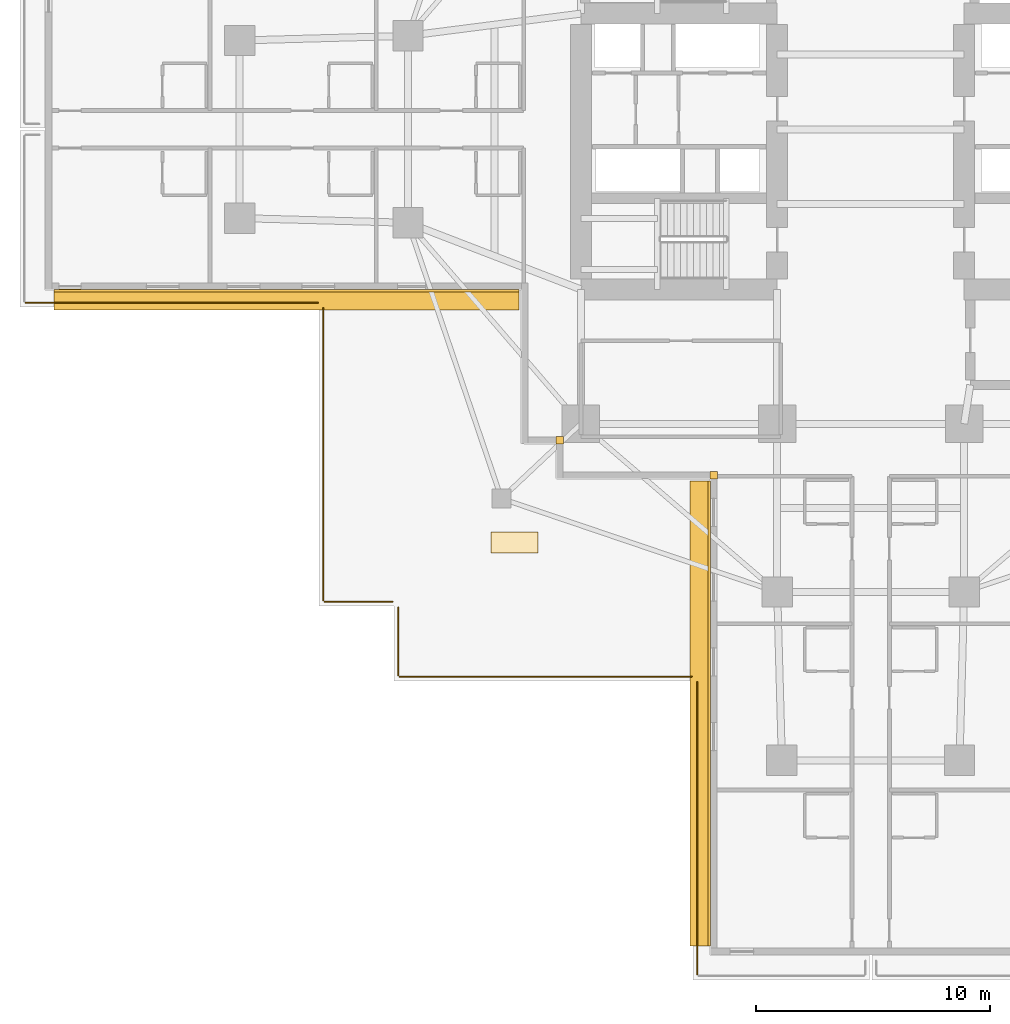
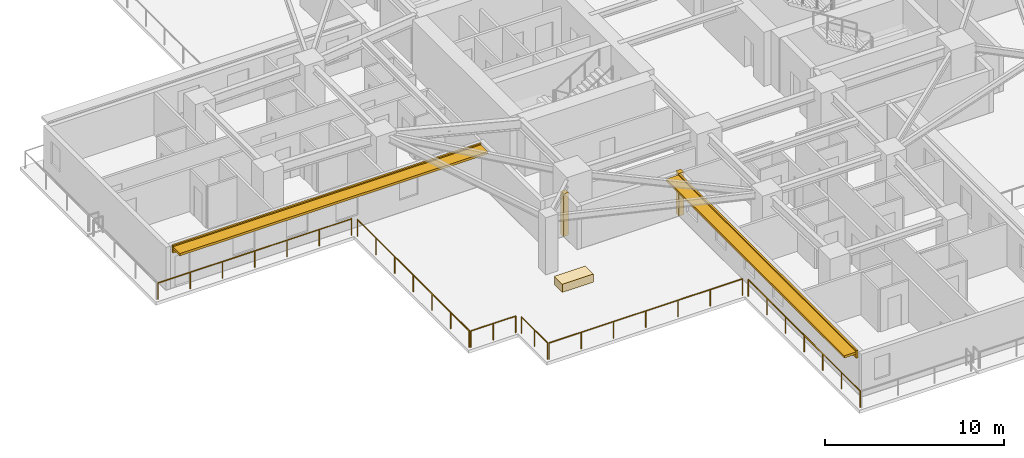
# One storey, part 10 of 15: 6 railings, 5 coverings, 2 shading devices.
"""IFC4 building model written with IfcOpenShell, lengths in metres."""

from ifc_helpers import new_model, si_unit, direction, frame, origin, origin_2d, place, context, subcontext, project, spatial, rectangle, circle, extrude, material, layer, layer_set, type_object, element, save


model = new_model("IFC4")

# Units and contexts
model_context = context("Model", 3, precision=1e-05, world=origin(), true_north=direction((0.0, 1.0)))
body_context = subcontext(model_context, "Body", "Model", "MODEL_VIEW")
ifc_project = project(units=[si_unit("LENGTHUNIT", "METRE"), si_unit("AREAUNIT", "SQUARE_METRE"), si_unit("VOLUMEUNIT", "CUBIC_METRE"), si_unit("PLANEANGLEUNIT", "RADIAN"), si_unit("MASSUNIT", "GRAM", prefix="KILO")], contexts=[model_context])

# Site, building, storey
site_placement = place(None, origin())
site = spatial("IfcSite", under=ifc_project, at=site_placement, CompositionType="ELEMENT")
building_placement = place(site_placement, origin())
building = spatial("IfcBuilding", under=site, at=building_placement, Name="Qingluan Cross Belvedere", CompositionType="ELEMENT")
storey_placement = place(building_placement, frame((0.0, 0.0, 23.699951171875)))
storey = spatial("IfcBuildingStorey", under=building, at=storey_placement, Name="L06", CompositionType="ELEMENT", Elevation=23.699951171875)

# Coverings
ifc_material_1 = material(Name="Precast concrete C45", Category="concrete")
ifc_layer_1 = layer(ifc_material_1, 0.1201171875, Name="ConcreteSpandrelCladding_120")
ifc_layer_set_1 = layer_set([ifc_layer_1], Name="Precast concrete C45")
covering_type_1 = type_object("IfcCoveringType", Name="ConcreteSpandrelCladding_120", PredefinedType="CLADDING", material=ifc_layer_set_1)
for number, where, z_axis, x_axis, name in (
    (1, (-24.989990234375, -6.909912109375, 2.449951171875), (0.0, 0.0, 1.0), (1.0, 0.0, 0.0), "Spandrel cladding L06-WB"),
    (2, (-6.909912109375, -24.989990234375, 2.449951171875), (0.0, 0.0, 1.0), (0.0, -1.0, 0.0), "Spandrel cladding L06-SA"),
):
    element("IfcCovering", number, at=place(storey_placement, frame(where, z_axis=z_axis, x_axis=x_axis)), inside=storey, type_object=covering_type_1, Name=name, PredefinedType="CLADDING", context=body_context, shape_type="SweptSolid", body=[
        extrude(rectangle(XDim=19.89990234375, YDim=0.1201171875, at=origin_2d()), origin(), (0.0, 0.0, 1.0), 0.52001953125),
    ])
for number, where, z_axis, x_axis, name in (
    (3, (-13.300048828125, -13.300048828125, 0.0), (0.0, 0.0, 1.0), (1.0, 0.0, 0.0), "Corner closure L06-SW1"),
    (4, (-6.719970703125, -14.800048828125, 0.0), (0.0, 0.0, 1.0), (1.0, 0.0, 0.0), "Corner closure L06-SW2"),
):
    element("IfcCovering", number, at=place(storey_placement, frame(where, z_axis=z_axis, x_axis=x_axis)), inside=storey, type_object=covering_type_1, Name=name, PredefinedType="CLADDING", context=body_context, shape_type="SweptSolid", body=[
        extrude(rectangle(XDim=0.320068359375, YDim=0.320068359375, at=origin_2d()), origin(), (0.0, 0.0, 1.0), 2.909912109375),
    ])

# Shading devices
ifc_material_2 = material(Name="Precast concrete C45", Category="concrete")
ifc_layer_2 = layer(ifc_material_2, 0.159912109375, Name="ConcreteSunshadeBand_900")
ifc_layer_set_2 = layer_set([ifc_layer_2], Name="Precast concrete C45")
shading_device_type = type_object("IfcShadingDeviceType", Name="ConcreteSunshadeBand_900", PredefinedType="USERDEFINED", material=ifc_layer_set_2)
for number, where, z_axis, x_axis, name in (
    (5, (-24.989990234375, -7.2900390625, 2.72998046875), (0.0, 0.0, 1.0), (1.0, 0.0, 0.0), "Concrete SUNSHADE L06-WB"),
    (6, (-7.2900390625, -24.989990234375, 2.72998046875), (0.0, 0.0, 1.0), (0.0, -1.0, 0.0), "Concrete SUNSHADE L06-SA"),
):
    element("IfcShadingDevice", number, at=place(storey_placement, frame(where, z_axis=z_axis, x_axis=x_axis)), inside=storey, type_object=shading_device_type, Name=name, ObjectType="SUNSHADE", PredefinedType="USERDEFINED", context=body_context, shape_type="SweptSolid", body=[
        extrude(rectangle(XDim=19.89990234375, YDim=0.89990234375, at=origin_2d()), origin(), (0.0, 0.0, 1.0), 0.159912109375),
    ])

# Railings
ifc_material_3 = material(Name="Laminated glass and stainless steel balustrade", Category="steel")
railing_type = type_object("IfcRailingType", Name="TerraceGuardBalustrade_1150", PredefinedType="BALUSTRADE", material=ifc_material_3)
railing_1_placement = place(storey_placement, frame((-7.419921875, -36.159912109375, 0.0)))
element("IfcRailing", 7, at=railing_1_placement, inside=storey, type_object=railing_type, Name="Terrace guard L06-2", PredefinedType="BALUSTRADE", context=body_context, shape_type="SweptSolid", body=[
    extrude(circle(Radius=0.02392578125, at=origin_2d()), frame((0.0, 0.0, 1.1259765625), z_axis=(0.0, 1.0, 0.0), x_axis=(-1.0, 0.0, 0.0)), (0.0, 0.0, 1.0), 12.5),
    extrude(circle(Radius=0.02099609375, at=origin_2d()), origin(), (0.0, 0.0, 1.0), 1.101806640625),
    extrude(circle(Radius=0.02099609375, at=origin_2d()), frame((0.0, 2.083251953125, 0.0)), (0.0, 0.0, 1.0), 1.101806640625),
    extrude(circle(Radius=0.02099609375, at=origin_2d()), frame((0.0, 4.166748046875, 0.0)), (0.0, 0.0, 1.0), 1.101806640625),
    extrude(circle(Radius=0.02099609375, at=origin_2d()), frame((0.0, 6.25, 0.0)), (0.0, 0.0, 1.0), 1.101806640625),
    extrude(circle(Radius=0.02099609375, at=origin_2d()), frame((0.0, 8.333251953125, 0.0)), (0.0, 0.0, 1.0), 1.101806640625),
    extrude(circle(Radius=0.02099609375, at=origin_2d()), frame((0.0, 10.416748046875, 0.0)), (0.0, 0.0, 1.0), 1.101806640625),
    extrude(circle(Radius=0.02099609375, at=origin_2d()), frame((0.0, 12.5, 0.0)), (0.0, 0.0, 1.0), 1.101806640625),
])
railing_2_placement = place(storey_placement, frame((-7.659912109375, -23.419921875, 0.0)))
element("IfcRailing", 8, at=railing_2_placement, inside=storey, type_object=railing_type, Name="Terrace guard L06-3", PredefinedType="BALUSTRADE", context=body_context, shape_type="SweptSolid", body=[
    extrude(circle(Radius=0.02392578125, at=origin_2d()), frame((0.0, 0.0, 1.1259765625), z_axis=(-1.0, 0.0, 0.0), x_axis=(0.0, -1.0, 0.0)), (0.0, 0.0, 1.0), 12.5),
    extrude(circle(Radius=0.02099609375, at=origin_2d()), origin(), (0.0, 0.0, 1.0), 1.101806640625),
    extrude(circle(Radius=0.02099609375, at=origin_2d()), frame((-2.083251953125, 0.0, 0.0)), (0.0, 0.0, 1.0), 1.101806640625),
    extrude(circle(Radius=0.02099609375, at=origin_2d()), frame((-4.166748046875, 0.0, 0.0)), (0.0, 0.0, 1.0), 1.101806640625),
    extrude(circle(Radius=0.02099609375, at=origin_2d()), frame((-6.25, 0.0, 0.0)), (0.0, 0.0, 1.0), 1.101806640625),
    extrude(circle(Radius=0.02099609375, at=origin_2d()), frame((-8.333251953125, 0.0, 0.0)), (0.0, 0.0, 1.0), 1.101806640625),
    extrude(circle(Radius=0.02099609375, at=origin_2d()), frame((-10.416748046875, 0.0, 0.0)), (0.0, 0.0, 1.0), 1.101806640625),
    extrude(circle(Radius=0.02099609375, at=origin_2d()), frame((-12.5, 0.0, 0.0)), (0.0, 0.0, 1.0), 1.101806640625),
])
railing_3_placement = place(storey_placement, frame((-20.219970703125, -23.360107421875, 0.0)))
element("IfcRailing", 9, at=railing_3_placement, inside=storey, type_object=railing_type, Name="Terrace guard L06-4", PredefinedType="BALUSTRADE", context=body_context, shape_type="SweptSolid", body=[
    extrude(circle(Radius=0.02392578125, at=origin_2d()), frame((0.0, 0.0, 1.1259765625), z_axis=(0.0, 1.0, 0.0), x_axis=(-1.0, 0.0, 0.0)), (0.0, 0.0, 1.0), 2.900146484375),
    extrude(circle(Radius=0.02099609375, at=origin_2d()), origin(), (0.0, 0.0, 1.0), 1.101806640625),
    extrude(circle(Radius=0.02099609375, at=origin_2d()), frame((0.0, 1.4501953125, 0.0)), (0.0, 0.0, 1.0), 1.101806640625),
    extrude(circle(Radius=0.02099609375, at=origin_2d()), frame((0.0, 2.900146484375, 0.0)), (0.0, 0.0, 1.0), 1.101806640625),
])
railing_4_placement = place(storey_placement, frame((-20.4599609375, -20.219970703125, 0.0)))
element("IfcRailing", 10, at=railing_4_placement, inside=storey, type_object=railing_type, Name="Terrace guard L06-5", PredefinedType="BALUSTRADE", context=body_context, shape_type="SweptSolid", body=[
    extrude(circle(Radius=0.02392578125, at=origin_2d()), frame((0.0, 0.0, 1.1259765625), z_axis=(-1.0, 0.0, 0.0), x_axis=(0.0, -1.0, 0.0)), (0.0, 0.0, 1.0), 2.900146484375),
    extrude(circle(Radius=0.02099609375, at=origin_2d()), origin(), (0.0, 0.0, 1.0), 1.101806640625),
    extrude(circle(Radius=0.02099609375, at=origin_2d()), frame((-1.4501953125, 0.0, 0.0)), (0.0, 0.0, 1.0), 1.101806640625),
    extrude(circle(Radius=0.02099609375, at=origin_2d()), frame((-2.900146484375, 0.0, 0.0)), (0.0, 0.0, 1.0), 1.101806640625),
])
railing_5_placement = place(storey_placement, frame((-23.419921875, -20.159912109375, 0.0)))
element("IfcRailing", 11, at=railing_5_placement, inside=storey, type_object=railing_type, Name="Terrace guard L06-6", PredefinedType="BALUSTRADE", context=body_context, shape_type="SweptSolid", body=[
    extrude(circle(Radius=0.02392578125, at=origin_2d()), frame((0.0, 0.0, 1.1259765625), z_axis=(0.0, 1.0, 0.0), x_axis=(-1.0, 0.0, 0.0)), (0.0, 0.0, 1.0), 12.5),
    extrude(circle(Radius=0.02099609375, at=origin_2d()), origin(), (0.0, 0.0, 1.0), 1.101806640625),
    extrude(circle(Radius=0.02099609375, at=origin_2d()), frame((0.0, 2.083251953125, 0.0)), (0.0, 0.0, 1.0), 1.101806640625),
    extrude(circle(Radius=0.02099609375, at=origin_2d()), frame((0.0, 4.166748046875, 0.0)), (0.0, 0.0, 1.0), 1.101806640625),
    extrude(circle(Radius=0.02099609375, at=origin_2d()), frame((0.0, 6.25, 0.0)), (0.0, 0.0, 1.0), 1.101806640625),
    extrude(circle(Radius=0.02099609375, at=origin_2d()), frame((0.0, 8.333251953125, 0.0)), (0.0, 0.0, 1.0), 1.101806640625),
    extrude(circle(Radius=0.02099609375, at=origin_2d()), frame((0.0, 10.416748046875, 0.0)), (0.0, 0.0, 1.0), 1.101806640625),
    extrude(circle(Radius=0.02099609375, at=origin_2d()), frame((0.0, 12.5, 0.0)), (0.0, 0.0, 1.0), 1.101806640625),
])
railing_6_placement = place(storey_placement, frame((-23.659912109375, -7.419921875, 0.0)))
element("IfcRailing", 12, at=railing_6_placement, inside=storey, type_object=railing_type, Name="Terrace guard L06-7", PredefinedType="BALUSTRADE", context=body_context, shape_type="SweptSolid", body=[
    extrude(circle(Radius=0.02392578125, at=origin_2d()), frame((0.0, 0.0, 1.1259765625), z_axis=(-1.0, 0.0, 0.0), x_axis=(0.0, -1.0, 0.0)), (0.0, 0.0, 1.0), 12.5),
    extrude(circle(Radius=0.02099609375, at=origin_2d()), origin(), (0.0, 0.0, 1.0), 1.101806640625),
    extrude(circle(Radius=0.02099609375, at=origin_2d()), frame((-2.083251953125, 0.0, 0.0)), (0.0, 0.0, 1.0), 1.101806640625),
    extrude(circle(Radius=0.02099609375, at=origin_2d()), frame((-4.166748046875, 0.0, 0.0)), (0.0, 0.0, 1.0), 1.101806640625),
    extrude(circle(Radius=0.02099609375, at=origin_2d()), frame((-6.25, 0.0, 0.0)), (0.0, 0.0, 1.0), 1.101806640625),
    extrude(circle(Radius=0.02099609375, at=origin_2d()), frame((-8.333251953125, 0.0, 0.0)), (0.0, 0.0, 1.0), 1.101806640625),
    extrude(circle(Radius=0.02099609375, at=origin_2d()), frame((-10.416748046875, 0.0, 0.0)), (0.0, 0.0, 1.0), 1.101806640625),
    extrude(circle(Radius=0.02099609375, at=origin_2d()), frame((-12.5, 0.0, 0.0)), (0.0, 0.0, 1.0), 1.101806640625),
])

# Covering
ifc_material_4 = material(Name="Precast concrete C40", Category="concrete")
ifc_layer_3 = layer(ifc_material_4, 0.550048828125, Name="TerracePlanterBox")
ifc_layer_set_3 = layer_set([ifc_layer_3], Name="Precast concrete C40")
covering_type_2 = type_object("IfcCoveringType", Name="TerracePlanterBox", PredefinedType="USERDEFINED", material=ifc_layer_set_3)
covering_placement = place(storey_placement, frame((-15.239990234375, -17.679931640625, 0.0), z_axis=(0.0, 0.0, 1.0), x_axis=(1.0, 0.0, 0.0)))
element("IfcCovering", 13, at=covering_placement, inside=storey, type_object=covering_type_2, Name="Terrace garden planter L06-3", ObjectType="PLANTER", PredefinedType="USERDEFINED", context=body_context, shape_type="SweptSolid", body=[
    extrude(rectangle(XDim=2.0, YDim=0.89990234375, at=origin_2d()), origin(), (0.0, 0.0, 1.0), 0.550048828125),
])

save(model, "model.ifc")
